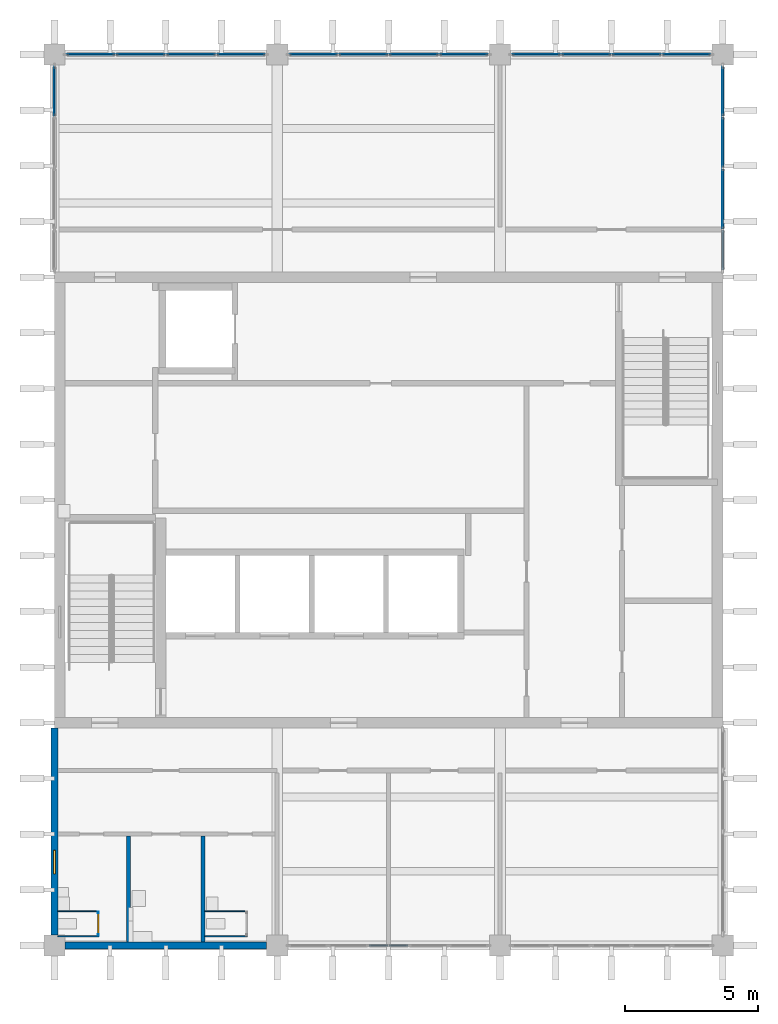
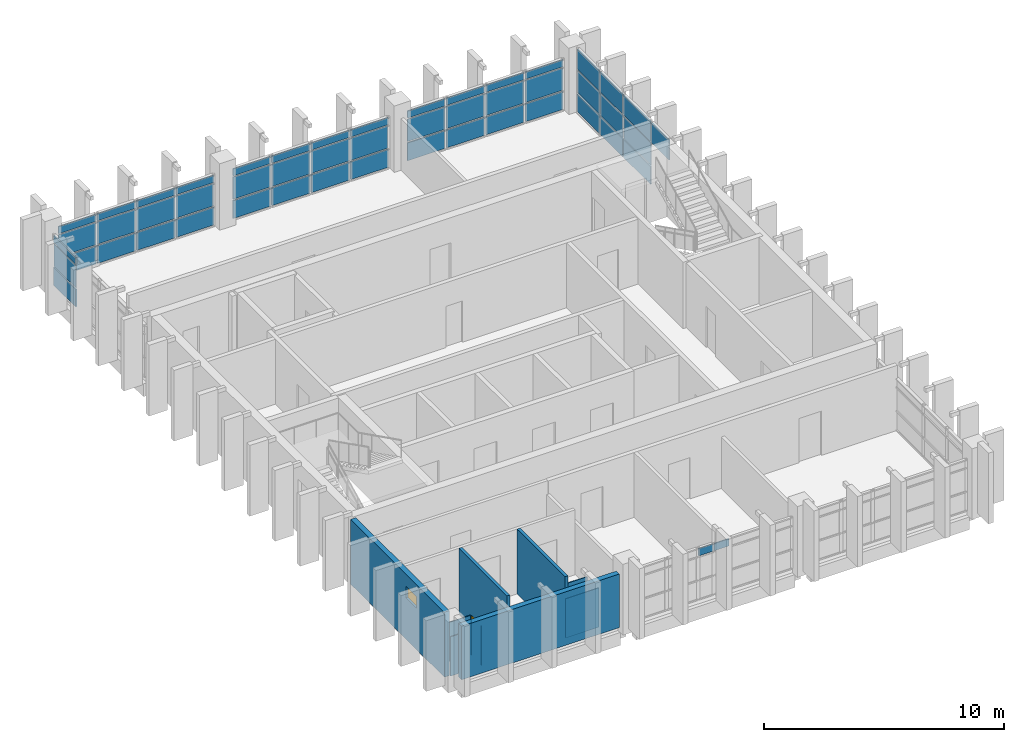
# One storey, part 6 of 11: 51 plates, 9 walls, 1 door, 1 window, 2 openings, 6 elements without a shape of their own.
"""IFC4 building model written with IfcOpenShell, lengths in metres."""

from ifc_helpers import new_model, si_unit, direction, frame, frame_2d, origin, origin_2d, place, context, subcontext, project, spatial, rectangle, extrude, material, layer, layer_set, type_object, element, fill, aggregate, save


model = new_model("IFC4")

# Units and contexts
model_context = context("Model", 3, precision=1e-05, world=origin(), true_north=direction((0.0, 1.0)))
body_context = subcontext(model_context, "Body", "Model", "MODEL_VIEW")
ifc_project = project(units=[si_unit("LENGTHUNIT", "METRE"), si_unit("AREAUNIT", "SQUARE_METRE"), si_unit("VOLUMEUNIT", "CUBIC_METRE"), si_unit("PLANEANGLEUNIT", "RADIAN"), si_unit("MASSUNIT", "GRAM", prefix="KILO")], contexts=[model_context])

# Site, building, storey
site_placement = place(None, origin())
site = spatial("IfcSite", under=ifc_project, at=site_placement, CompositionType="ELEMENT")
building_placement = place(site_placement, origin())
building = spatial("IfcBuilding", under=site, at=building_placement, Name="Rulbaag Community and Learning Centre", CompositionType="ELEMENT")
storey_placement = place(building_placement, frame((0.0, 0.0, 43.199951171875)))
storey = spatial("IfcBuildingStorey", under=building, at=storey_placement, Name="L11", CompositionType="ELEMENT", Elevation=43.199951171875)

# Curtain wall, plates
ifc_material_1 = material(Name="Aluminium", Category="aluminium")
ifc_layer_1 = layer(ifc_material_1, 0.14990234375)
ifc_layer_set_1 = layer_set([ifc_layer_1], Name="CW-S")
curtain_wall_type_1 = type_object("IfcCurtainWallType", Name="CW-S", PredefinedType="USERDEFINED", material=ifc_layer_set_1)
curtain_wall_1_placement = place(storey_placement, origin())
curtain_wall_1 = element("IfcCurtainWall", 1, at=curtain_wall_1_placement, inside=storey, type_object=curtain_wall_type_1, Name="GS-L11-01", ObjectType="UNITISED CURTAIN WALL", PredefinedType="USERDEFINED")
ifc_layer_2 = layer(ifc_material_1, 0.054931640625)
ifc_layer_set_2 = layer_set([ifc_layer_2], Name="CW-S-SPN")
plate_type_1 = type_object("IfcPlateType", Name="CW-S-SPN", PredefinedType="CURTAIN_PANEL", material=ifc_layer_set_2)
plate_1_placement = place(storey_placement, frame((155.02001953125, 84.0, 2.22998046875), z_axis=(0.0, 0.0, 1.0), x_axis=(1.0, 0.0, 0.0)))
plate_1 = element("IfcPlate", 2, at=plate_1_placement, type_object=plate_type_1, Name="GS spandrel panel", PredefinedType="CURTAIN_PANEL", context=body_context, shape_type="SweptSolid", body=[
    extrude(rectangle(XDim=0.699951171875, YDim=0.054931640625, at=origin_2d()), origin(), (0.0, 0.0, 1.0), 0.360107421875),
])
plate_2_placement = place(storey_placement, frame((155.780029296875, 84.0, 2.22998046875), z_axis=(0.0, 0.0, 1.0), x_axis=(1.0, 0.0, 0.0)))
plate_2 = element("IfcPlate", 3, at=plate_2_placement, type_object=plate_type_1, Name="GS spandrel panel", PredefinedType="CURTAIN_PANEL", context=body_context, shape_type="SweptSolid", body=[
    extrude(rectangle(XDim=0.699951171875, YDim=0.054931640625, at=origin_2d()), origin(), (0.0, 0.0, 1.0), 0.360107421875),
])
aggregate(curtain_wall_1, [plate_1, plate_2])

ifc_layer_3 = layer(ifc_material_1, 0.14990234375)
ifc_layer_set_3 = layer_set([ifc_layer_3], Name="CW-T")
curtain_wall_type_2 = type_object("IfcCurtainWallType", Name="CW-T", PredefinedType="USERDEFINED", material=ifc_layer_set_3)
curtain_wall_2_placement = place(storey_placement, origin())
curtain_wall_2 = element("IfcCurtainWall", 4, at=curtain_wall_2_placement, inside=storey, type_object=curtain_wall_type_2, Name="GT-L11-01", ObjectType="UNITISED CURTAIN WALL", PredefinedType="USERDEFINED")
ifc_layer_4 = layer(ifc_material_1, 0.06005859375)
ifc_layer_set_4 = layer_set([ifc_layer_4], Name="CW-T-SPN")
plate_type_2 = type_object("IfcPlateType", Name="CW-T-SPN", PredefinedType="CURTAIN_PANEL", material=ifc_layer_set_4)
plate_3_placement = place(storey_placement, frame((144.166259765625, 117.60009765625, 0.06494140625), z_axis=(0.0, 0.0, 1.0), x_axis=(1.0, 0.0, 0.0)))
plate_3 = element("IfcPlate", 5, at=plate_3_placement, type_object=plate_type_2, Name="GT spandrel panel", PredefinedType="CURTAIN_PANEL", context=body_context, shape_type="SweptSolid", body=[
    extrude(rectangle(XDim=1.802490234375, YDim=0.06005859375, at=origin_2d()), origin(), (0.0, 0.0, 1.0), 0.902587890625),
])
plate_4_placement = place(storey_placement, frame((144.166259765625, 117.60009765625, 2.232421875), z_axis=(0.0, 0.0, 1.0), x_axis=(1.0, 0.0, 0.0)))
plate_4 = element("IfcPlate", 6, at=plate_4_placement, type_object=plate_type_2, Name="GT spandrel panel", PredefinedType="CURTAIN_PANEL", context=body_context, shape_type="SweptSolid", body=[
    extrude(rectangle(XDim=1.802490234375, YDim=0.06005859375, at=origin_2d()), origin(), (0.0, 0.0, 1.0), 0.3525390625),
])
plate_5_placement = place(storey_placement, frame((146.050048828125, 117.60009765625, 0.06494140625), z_axis=(0.0, 0.0, 1.0), x_axis=(1.0, 0.0, 0.0)))
plate_5 = element("IfcPlate", 7, at=plate_5_placement, type_object=plate_type_2, Name="GT spandrel panel", PredefinedType="CURTAIN_PANEL", context=body_context, shape_type="SweptSolid", body=[
    extrude(rectangle(XDim=1.8349609375, YDim=0.06005859375, at=origin_2d()), origin(), (0.0, 0.0, 1.0), 0.902587890625),
])
plate_6_placement = place(storey_placement, frame((146.050048828125, 117.60009765625, 2.232421875), z_axis=(0.0, 0.0, 1.0), x_axis=(1.0, 0.0, 0.0)))
plate_6 = element("IfcPlate", 8, at=plate_6_placement, type_object=plate_type_2, Name="GT spandrel panel", PredefinedType="CURTAIN_PANEL", context=body_context, shape_type="SweptSolid", body=[
    extrude(rectangle(XDim=1.8349609375, YDim=0.06005859375, at=origin_2d()), origin(), (0.0, 0.0, 1.0), 0.3525390625),
])
plate_7_placement = place(storey_placement, frame((147.949951171875, 117.60009765625, 0.06494140625), z_axis=(0.0, 0.0, 1.0), x_axis=(1.0, 0.0, 0.0)))
plate_7 = element("IfcPlate", 9, at=plate_7_placement, type_object=plate_type_2, Name="GT spandrel panel", PredefinedType="CURTAIN_PANEL", context=body_context, shape_type="SweptSolid", body=[
    extrude(rectangle(XDim=1.8349609375, YDim=0.06005859375, at=origin_2d()), origin(), (0.0, 0.0, 1.0), 0.902587890625),
])
plate_8_placement = place(storey_placement, frame((147.949951171875, 117.60009765625, 2.232421875), z_axis=(0.0, 0.0, 1.0), x_axis=(1.0, 0.0, 0.0)))
plate_8 = element("IfcPlate", 10, at=plate_8_placement, type_object=plate_type_2, Name="GT spandrel panel", PredefinedType="CURTAIN_PANEL", context=body_context, shape_type="SweptSolid", body=[
    extrude(rectangle(XDim=1.8349609375, YDim=0.06005859375, at=origin_2d()), origin(), (0.0, 0.0, 1.0), 0.3525390625),
])
plate_9_placement = place(storey_placement, frame((149.833740234375, 117.60009765625, 0.06494140625), z_axis=(0.0, 0.0, 1.0), x_axis=(1.0, 0.0, 0.0)))
plate_9 = element("IfcPlate", 11, at=plate_9_placement, type_object=plate_type_2, Name="GT spandrel panel", PredefinedType="CURTAIN_PANEL", context=body_context, shape_type="SweptSolid", body=[
    extrude(rectangle(XDim=1.802490234375, YDim=0.06005859375, at=origin_2d()), origin(), (0.0, 0.0, 1.0), 0.902587890625),
])
plate_10_placement = place(storey_placement, frame((149.833740234375, 117.60009765625, 2.232421875), z_axis=(0.0, 0.0, 1.0), x_axis=(1.0, 0.0, 0.0)))
plate_10 = element("IfcPlate", 12, at=plate_10_placement, type_object=plate_type_2, Name="GT spandrel panel", PredefinedType="CURTAIN_PANEL", context=body_context, shape_type="SweptSolid", body=[
    extrude(rectangle(XDim=1.802490234375, YDim=0.06005859375, at=origin_2d()), origin(), (0.0, 0.0, 1.0), 0.3525390625),
])

curtain_wall_3_placement = place(storey_placement, origin())
curtain_wall_3 = element("IfcCurtainWall", 13, at=curtain_wall_3_placement, inside=storey, type_object=curtain_wall_type_2, Name="GT-L11-02", ObjectType="UNITISED CURTAIN WALL", PredefinedType="USERDEFINED")
plate_11_placement = place(storey_placement, frame((152.566162109375, 117.60009765625, 0.06494140625), z_axis=(0.0, 0.0, 1.0), x_axis=(1.0, 0.0, 0.0)))
plate_11 = element("IfcPlate", 14, at=plate_11_placement, type_object=plate_type_2, Name="GT spandrel panel", PredefinedType="CURTAIN_PANEL", context=body_context, shape_type="SweptSolid", body=[
    extrude(rectangle(XDim=1.802490234375, YDim=0.06005859375, at=origin_2d()), origin(), (0.0, 0.0, 1.0), 0.902587890625),
])
plate_12_placement = place(storey_placement, frame((152.566162109375, 117.60009765625, 2.232421875), z_axis=(0.0, 0.0, 1.0), x_axis=(1.0, 0.0, 0.0)))
plate_12 = element("IfcPlate", 15, at=plate_12_placement, type_object=plate_type_2, Name="GT spandrel panel", PredefinedType="CURTAIN_PANEL", context=body_context, shape_type="SweptSolid", body=[
    extrude(rectangle(XDim=1.802490234375, YDim=0.06005859375, at=origin_2d()), origin(), (0.0, 0.0, 1.0), 0.3525390625),
])
plate_13_placement = place(storey_placement, frame((154.449951171875, 117.60009765625, 0.06494140625), z_axis=(0.0, 0.0, 1.0), x_axis=(1.0, 0.0, 0.0)))
plate_13 = element("IfcPlate", 16, at=plate_13_placement, type_object=plate_type_2, Name="GT spandrel panel", PredefinedType="CURTAIN_PANEL", context=body_context, shape_type="SweptSolid", body=[
    extrude(rectangle(XDim=1.8349609375, YDim=0.06005859375, at=origin_2d()), origin(), (0.0, 0.0, 1.0), 0.902587890625),
])
plate_14_placement = place(storey_placement, frame((154.449951171875, 117.60009765625, 2.232421875), z_axis=(0.0, 0.0, 1.0), x_axis=(1.0, 0.0, 0.0)))
plate_14 = element("IfcPlate", 17, at=plate_14_placement, type_object=plate_type_2, Name="GT spandrel panel", PredefinedType="CURTAIN_PANEL", context=body_context, shape_type="SweptSolid", body=[
    extrude(rectangle(XDim=1.8349609375, YDim=0.06005859375, at=origin_2d()), origin(), (0.0, 0.0, 1.0), 0.3525390625),
])
plate_15_placement = place(storey_placement, frame((156.35009765625, 117.60009765625, 0.06494140625), z_axis=(0.0, 0.0, 1.0), x_axis=(1.0, 0.0, 0.0)))
plate_15 = element("IfcPlate", 18, at=plate_15_placement, type_object=plate_type_2, Name="GT spandrel panel", PredefinedType="CURTAIN_PANEL", context=body_context, shape_type="SweptSolid", body=[
    extrude(rectangle(XDim=1.8349609375, YDim=0.06005859375, at=origin_2d()), origin(), (0.0, 0.0, 1.0), 0.902587890625),
])
plate_16_placement = place(storey_placement, frame((156.35009765625, 117.60009765625, 2.232421875), z_axis=(0.0, 0.0, 1.0), x_axis=(1.0, 0.0, 0.0)))
plate_16 = element("IfcPlate", 19, at=plate_16_placement, type_object=plate_type_2, Name="GT spandrel panel", PredefinedType="CURTAIN_PANEL", context=body_context, shape_type="SweptSolid", body=[
    extrude(rectangle(XDim=1.8349609375, YDim=0.06005859375, at=origin_2d()), origin(), (0.0, 0.0, 1.0), 0.3525390625),
])
plate_17_placement = place(storey_placement, frame((158.233642578125, 117.60009765625, 0.06494140625), z_axis=(0.0, 0.0, 1.0), x_axis=(1.0, 0.0, 0.0)))
plate_17 = element("IfcPlate", 20, at=plate_17_placement, type_object=plate_type_2, Name="GT spandrel panel", PredefinedType="CURTAIN_PANEL", context=body_context, shape_type="SweptSolid", body=[
    extrude(rectangle(XDim=1.802490234375, YDim=0.06005859375, at=origin_2d()), origin(), (0.0, 0.0, 1.0), 0.902587890625),
])
plate_18_placement = place(storey_placement, frame((158.233642578125, 117.60009765625, 2.232421875), z_axis=(0.0, 0.0, 1.0), x_axis=(1.0, 0.0, 0.0)))
plate_18 = element("IfcPlate", 21, at=plate_18_placement, type_object=plate_type_2, Name="GT spandrel panel", PredefinedType="CURTAIN_PANEL", context=body_context, shape_type="SweptSolid", body=[
    extrude(rectangle(XDim=1.802490234375, YDim=0.06005859375, at=origin_2d()), origin(), (0.0, 0.0, 1.0), 0.3525390625),
])

curtain_wall_4_placement = place(storey_placement, origin())
curtain_wall_4 = element("IfcCurtainWall", 22, at=curtain_wall_4_placement, inside=storey, type_object=curtain_wall_type_2, Name="GT-L11-03", ObjectType="UNITISED CURTAIN WALL", PredefinedType="USERDEFINED")
plate_19_placement = place(storey_placement, frame((160.96630859375, 117.60009765625, 0.06494140625), z_axis=(0.0, 0.0, 1.0), x_axis=(1.0, 0.0, 0.0)))
plate_19 = element("IfcPlate", 23, at=plate_19_placement, type_object=plate_type_2, Name="GT spandrel panel", PredefinedType="CURTAIN_PANEL", context=body_context, shape_type="SweptSolid", body=[
    extrude(rectangle(XDim=1.802490234375, YDim=0.06005859375, at=origin_2d()), origin(), (0.0, 0.0, 1.0), 0.902587890625),
])
plate_20_placement = place(storey_placement, frame((160.96630859375, 117.60009765625, 2.232421875), z_axis=(0.0, 0.0, 1.0), x_axis=(1.0, 0.0, 0.0)))
plate_20 = element("IfcPlate", 24, at=plate_20_placement, type_object=plate_type_2, Name="GT spandrel panel", PredefinedType="CURTAIN_PANEL", context=body_context, shape_type="SweptSolid", body=[
    extrude(rectangle(XDim=1.802490234375, YDim=0.06005859375, at=origin_2d()), origin(), (0.0, 0.0, 1.0), 0.3525390625),
])
plate_21_placement = place(storey_placement, frame((162.85009765625, 117.60009765625, 0.06494140625), z_axis=(0.0, 0.0, 1.0), x_axis=(1.0, 0.0, 0.0)))
plate_21 = element("IfcPlate", 25, at=plate_21_placement, type_object=plate_type_2, Name="GT spandrel panel", PredefinedType="CURTAIN_PANEL", context=body_context, shape_type="SweptSolid", body=[
    extrude(rectangle(XDim=1.8349609375, YDim=0.06005859375, at=origin_2d()), origin(), (0.0, 0.0, 1.0), 0.902587890625),
])
plate_22_placement = place(storey_placement, frame((162.85009765625, 117.60009765625, 2.232421875), z_axis=(0.0, 0.0, 1.0), x_axis=(1.0, 0.0, 0.0)))
plate_22 = element("IfcPlate", 26, at=plate_22_placement, type_object=plate_type_2, Name="GT spandrel panel", PredefinedType="CURTAIN_PANEL", context=body_context, shape_type="SweptSolid", body=[
    extrude(rectangle(XDim=1.8349609375, YDim=0.06005859375, at=origin_2d()), origin(), (0.0, 0.0, 1.0), 0.3525390625),
])
plate_23_placement = place(storey_placement, frame((164.75, 117.60009765625, 0.06494140625), z_axis=(0.0, 0.0, 1.0), x_axis=(1.0, 0.0, 0.0)))
plate_23 = element("IfcPlate", 27, at=plate_23_placement, type_object=plate_type_2, Name="GT spandrel panel", PredefinedType="CURTAIN_PANEL", context=body_context, shape_type="SweptSolid", body=[
    extrude(rectangle(XDim=1.8349609375, YDim=0.06005859375, at=origin_2d()), origin(), (0.0, 0.0, 1.0), 0.902587890625),
])
plate_24_placement = place(storey_placement, frame((164.75, 117.60009765625, 2.232421875), z_axis=(0.0, 0.0, 1.0), x_axis=(1.0, 0.0, 0.0)))
plate_24 = element("IfcPlate", 28, at=plate_24_placement, type_object=plate_type_2, Name="GT spandrel panel", PredefinedType="CURTAIN_PANEL", context=body_context, shape_type="SweptSolid", body=[
    extrude(rectangle(XDim=1.8349609375, YDim=0.06005859375, at=origin_2d()), origin(), (0.0, 0.0, 1.0), 0.3525390625),
])
plate_25_placement = place(storey_placement, frame((166.6337890625, 117.60009765625, 0.06494140625), z_axis=(0.0, 0.0, 1.0), x_axis=(1.0, 0.0, 0.0)))
plate_25 = element("IfcPlate", 29, at=plate_25_placement, type_object=plate_type_2, Name="GT spandrel panel", PredefinedType="CURTAIN_PANEL", context=body_context, shape_type="SweptSolid", body=[
    extrude(rectangle(XDim=1.802490234375, YDim=0.06005859375, at=origin_2d()), origin(), (0.0, 0.0, 1.0), 0.902587890625),
])
plate_26_placement = place(storey_placement, frame((166.6337890625, 117.60009765625, 2.232421875), z_axis=(0.0, 0.0, 1.0), x_axis=(1.0, 0.0, 0.0)))
plate_26 = element("IfcPlate", 30, at=plate_26_placement, type_object=plate_type_2, Name="GT spandrel panel", PredefinedType="CURTAIN_PANEL", context=body_context, shape_type="SweptSolid", body=[
    extrude(rectangle(XDim=1.802490234375, YDim=0.06005859375, at=origin_2d()), origin(), (0.0, 0.0, 1.0), 0.3525390625),
])

curtain_wall_5_placement = place(storey_placement, origin())
curtain_wall_5 = element("IfcCurtainWall", 31, at=curtain_wall_5_placement, inside=storey, type_object=curtain_wall_type_2, Name="GT-L11-04", ObjectType="UNITISED CURTAIN WALL", PredefinedType="USERDEFINED")
plate_27_placement = place(storey_placement, frame((142.800048828125, 116.2119140625, 0.06494140625), z_axis=(0.0, 0.0, 1.0), x_axis=(0.0, 1.0, 0.0)))
plate_27 = element("IfcPlate", 32, at=plate_27_placement, type_object=plate_type_2, Name="GT spandrel panel", PredefinedType="CURTAIN_PANEL", context=body_context, shape_type="SweptSolid", body=[
    extrude(rectangle(XDim=1.84619140625, YDim=0.06005859375, at=origin_2d()), origin(), (0.0, 0.0, 1.0), 0.902587890625),
])
plate_28_placement = place(storey_placement, frame((142.800048828125, 116.2119140625, 2.232421875), z_axis=(0.0, 0.0, 1.0), x_axis=(0.0, 1.0, 0.0)))
plate_28 = element("IfcPlate", 33, at=plate_28_placement, type_object=plate_type_2, Name="GT spandrel panel", PredefinedType="CURTAIN_PANEL", context=body_context, shape_type="SweptSolid", body=[
    extrude(rectangle(XDim=1.84619140625, YDim=0.06005859375, at=origin_2d()), origin(), (0.0, 0.0, 1.0), 0.3525390625),
])

curtain_wall_6_placement = place(storey_placement, origin())
curtain_wall_6 = element("IfcCurtainWall", 34, at=curtain_wall_6_placement, inside=storey, type_object=curtain_wall_type_2, Name="GT-L11-06", ObjectType="UNITISED CURTAIN WALL", PredefinedType="USERDEFINED")
plate_29_placement = place(storey_placement, frame((168.0, 110.228759765625, 2.232666015625), z_axis=(0.0, 0.0, 1.0), x_axis=(0.0, 1.0, 0.0)))
plate_29 = element("IfcPlate", 35, at=plate_29_placement, type_object=plate_type_2, Name="GT spandrel panel", PredefinedType="CURTAIN_PANEL", context=body_context, shape_type="SweptSolid", body=[
    extrude(rectangle(XDim=1.4775390625, YDim=0.06005859375, at=origin_2d()), origin(), (0.0, 0.0, 1.0), 1.00244140625),
])
plate_30_placement = place(storey_placement, frame((168.0, 112.15625, 0.06494140625), z_axis=(0.0, 0.0, 1.0), x_axis=(0.0, 1.0, 0.0)))
plate_30 = element("IfcPlate", 36, at=plate_30_placement, type_object=plate_type_2, Name="GT spandrel panel", PredefinedType="CURTAIN_PANEL", context=body_context, shape_type="SweptSolid", body=[
    extrude(rectangle(XDim=2.24755859375, YDim=0.06005859375, at=origin_2d()), origin(), (0.0, 0.0, 1.0), 0.902587890625),
])
plate_31_placement = place(storey_placement, frame((168.0, 112.15625, 2.232666015625), z_axis=(0.0, 0.0, 1.0), x_axis=(0.0, 1.0, 0.0)))
plate_31 = element("IfcPlate", 37, at=plate_31_placement, type_object=plate_type_2, Name="GT spandrel panel", PredefinedType="CURTAIN_PANEL", context=body_context, shape_type="SweptSolid", body=[
    extrude(rectangle(XDim=2.24755859375, YDim=0.06005859375, at=origin_2d()), origin(), (0.0, 0.0, 1.0), 1.00244140625),
])
plate_32_placement = place(storey_placement, frame((168.0, 114.284423828125, 0.06494140625), z_axis=(0.0, 0.0, 1.0), x_axis=(0.0, 1.0, 0.0)))
plate_32 = element("IfcPlate", 38, at=plate_32_placement, type_object=plate_type_2, Name="GT spandrel panel", PredefinedType="CURTAIN_PANEL", context=body_context, shape_type="SweptSolid", body=[
    extrude(rectangle(XDim=1.878662109375, YDim=0.06005859375, at=origin_2d()), origin(), (0.0, 0.0, 1.0), 0.902587890625),
])
plate_33_placement = place(storey_placement, frame((168.0, 114.284423828125, 2.232666015625), z_axis=(0.0, 0.0, 1.0), x_axis=(0.0, 1.0, 0.0)))
plate_33 = element("IfcPlate", 39, at=plate_33_placement, type_object=plate_type_2, Name="GT spandrel panel", PredefinedType="CURTAIN_PANEL", context=body_context, shape_type="SweptSolid", body=[
    extrude(rectangle(XDim=1.878662109375, YDim=0.06005859375, at=origin_2d()), origin(), (0.0, 0.0, 1.0), 1.00244140625),
])
plate_34_placement = place(storey_placement, frame((168.0, 116.2119140625, 0.06494140625), z_axis=(0.0, 0.0, 1.0), x_axis=(0.0, 1.0, 0.0)))
plate_34 = element("IfcPlate", 40, at=plate_34_placement, type_object=plate_type_2, Name="GT spandrel panel", PredefinedType="CURTAIN_PANEL", context=body_context, shape_type="SweptSolid", body=[
    extrude(rectangle(XDim=1.84619140625, YDim=0.06005859375, at=origin_2d()), origin(), (0.0, 0.0, 1.0), 0.902587890625),
])
plate_35_placement = place(storey_placement, frame((168.0, 116.2119140625, 2.232666015625), z_axis=(0.0, 0.0, 1.0), x_axis=(0.0, 1.0, 0.0)))
plate_35 = element("IfcPlate", 41, at=plate_35_placement, type_object=plate_type_2, Name="GT spandrel panel", PredefinedType="CURTAIN_PANEL", context=body_context, shape_type="SweptSolid", body=[
    extrude(rectangle(XDim=1.84619140625, YDim=0.06005859375, at=origin_2d()), origin(), (0.0, 0.0, 1.0), 1.00244140625),
])

# Plate
ifc_material_2 = material(Name="Glass", Category="glass")
ifc_layer_5 = layer(ifc_material_2, 0.028076171875)
ifc_layer_set_5 = layer_set([ifc_layer_5], Name="CW-T-VIS")
plate_type_3 = type_object("IfcPlateType", Name="CW-T-VIS", PredefinedType="CURTAIN_PANEL", material=ifc_layer_set_5)
plate_36_placement = place(storey_placement, frame((144.166259765625, 117.60009765625, 1.03271484375), z_axis=(0.0, 0.0, 1.0), x_axis=(1.0, 0.0, 0.0)))
plate_36 = element("IfcPlate", 42, at=plate_36_placement, type_object=plate_type_3, Name="GT vision panel", PredefinedType="CURTAIN_PANEL", context=body_context, shape_type="SweptSolid", body=[
    extrude(rectangle(XDim=1.802490234375, YDim=0.028076171875, at=origin_2d()), origin(), (0.0, 0.0, 1.0), 1.135009765625),
])

plate_37_placement = place(storey_placement, frame((146.050048828125, 117.60009765625, 1.03271484375), z_axis=(0.0, 0.0, 1.0), x_axis=(1.0, 0.0, 0.0)))
plate_37 = element("IfcPlate", 43, at=plate_37_placement, type_object=plate_type_3, Name="GT vision panel", PredefinedType="CURTAIN_PANEL", context=body_context, shape_type="SweptSolid", body=[
    extrude(rectangle(XDim=1.8349609375, YDim=0.028076171875, at=origin_2d()), origin(), (0.0, 0.0, 1.0), 1.135009765625),
])

plate_38_placement = place(storey_placement, frame((147.949951171875, 117.60009765625, 1.03271484375), z_axis=(0.0, 0.0, 1.0), x_axis=(1.0, 0.0, 0.0)))
plate_38 = element("IfcPlate", 44, at=plate_38_placement, type_object=plate_type_3, Name="GT vision panel", PredefinedType="CURTAIN_PANEL", context=body_context, shape_type="SweptSolid", body=[
    extrude(rectangle(XDim=1.8349609375, YDim=0.028076171875, at=origin_2d()), origin(), (0.0, 0.0, 1.0), 1.135009765625),
])

plate_39_placement = place(storey_placement, frame((149.833740234375, 117.60009765625, 1.03271484375), z_axis=(0.0, 0.0, 1.0), x_axis=(1.0, 0.0, 0.0)))
plate_39 = element("IfcPlate", 45, at=plate_39_placement, type_object=plate_type_3, Name="GT vision panel", PredefinedType="CURTAIN_PANEL", context=body_context, shape_type="SweptSolid", body=[
    extrude(rectangle(XDim=1.802490234375, YDim=0.028076171875, at=origin_2d()), origin(), (0.0, 0.0, 1.0), 1.135009765625),
])

aggregate(curtain_wall_2, [plate_3, plate_36, plate_4, plate_5, plate_37, plate_6, plate_7, plate_38, plate_8, plate_9, plate_39, plate_10])

plate_40_placement = place(storey_placement, frame((152.566162109375, 117.60009765625, 1.03271484375), z_axis=(0.0, 0.0, 1.0), x_axis=(1.0, 0.0, 0.0)))
plate_40 = element("IfcPlate", 46, at=plate_40_placement, type_object=plate_type_3, Name="GT vision panel", PredefinedType="CURTAIN_PANEL", context=body_context, shape_type="SweptSolid", body=[
    extrude(rectangle(XDim=1.802490234375, YDim=0.028076171875, at=origin_2d()), origin(), (0.0, 0.0, 1.0), 1.135009765625),
])

plate_41_placement = place(storey_placement, frame((154.449951171875, 117.60009765625, 1.03271484375), z_axis=(0.0, 0.0, 1.0), x_axis=(1.0, 0.0, 0.0)))
plate_41 = element("IfcPlate", 47, at=plate_41_placement, type_object=plate_type_3, Name="GT vision panel", PredefinedType="CURTAIN_PANEL", context=body_context, shape_type="SweptSolid", body=[
    extrude(rectangle(XDim=1.8349609375, YDim=0.028076171875, at=origin_2d()), origin(), (0.0, 0.0, 1.0), 1.135009765625),
])

plate_42_placement = place(storey_placement, frame((156.35009765625, 117.60009765625, 1.03271484375), z_axis=(0.0, 0.0, 1.0), x_axis=(1.0, 0.0, 0.0)))
plate_42 = element("IfcPlate", 48, at=plate_42_placement, type_object=plate_type_3, Name="GT vision panel", PredefinedType="CURTAIN_PANEL", context=body_context, shape_type="SweptSolid", body=[
    extrude(rectangle(XDim=1.8349609375, YDim=0.028076171875, at=origin_2d()), origin(), (0.0, 0.0, 1.0), 1.135009765625),
])

plate_43_placement = place(storey_placement, frame((158.233642578125, 117.60009765625, 1.03271484375), z_axis=(0.0, 0.0, 1.0), x_axis=(1.0, 0.0, 0.0)))
plate_43 = element("IfcPlate", 49, at=plate_43_placement, type_object=plate_type_3, Name="GT vision panel", PredefinedType="CURTAIN_PANEL", context=body_context, shape_type="SweptSolid", body=[
    extrude(rectangle(XDim=1.802490234375, YDim=0.028076171875, at=origin_2d()), origin(), (0.0, 0.0, 1.0), 1.135009765625),
])

aggregate(curtain_wall_3, [plate_11, plate_40, plate_12, plate_13, plate_41, plate_14, plate_15, plate_42, plate_16, plate_17, plate_43, plate_18])

plate_44_placement = place(storey_placement, frame((160.96630859375, 117.60009765625, 1.03271484375), z_axis=(0.0, 0.0, 1.0), x_axis=(1.0, 0.0, 0.0)))
plate_44 = element("IfcPlate", 50, at=plate_44_placement, type_object=plate_type_3, Name="GT vision panel", PredefinedType="CURTAIN_PANEL", context=body_context, shape_type="SweptSolid", body=[
    extrude(rectangle(XDim=1.802490234375, YDim=0.028076171875, at=origin_2d()), origin(), (0.0, 0.0, 1.0), 1.135009765625),
])

plate_45_placement = place(storey_placement, frame((162.85009765625, 117.60009765625, 1.03271484375), z_axis=(0.0, 0.0, 1.0), x_axis=(1.0, 0.0, 0.0)))
plate_45 = element("IfcPlate", 51, at=plate_45_placement, type_object=plate_type_3, Name="GT vision panel", PredefinedType="CURTAIN_PANEL", context=body_context, shape_type="SweptSolid", body=[
    extrude(rectangle(XDim=1.8349609375, YDim=0.028076171875, at=origin_2d()), origin(), (0.0, 0.0, 1.0), 1.135009765625),
])

plate_46_placement = place(storey_placement, frame((164.75, 117.60009765625, 1.03271484375), z_axis=(0.0, 0.0, 1.0), x_axis=(1.0, 0.0, 0.0)))
plate_46 = element("IfcPlate", 52, at=plate_46_placement, type_object=plate_type_3, Name="GT vision panel", PredefinedType="CURTAIN_PANEL", context=body_context, shape_type="SweptSolid", body=[
    extrude(rectangle(XDim=1.8349609375, YDim=0.028076171875, at=origin_2d()), origin(), (0.0, 0.0, 1.0), 1.135009765625),
])

plate_47_placement = place(storey_placement, frame((166.6337890625, 117.60009765625, 1.03271484375), z_axis=(0.0, 0.0, 1.0), x_axis=(1.0, 0.0, 0.0)))
plate_47 = element("IfcPlate", 53, at=plate_47_placement, type_object=plate_type_3, Name="GT vision panel", PredefinedType="CURTAIN_PANEL", context=body_context, shape_type="SweptSolid", body=[
    extrude(rectangle(XDim=1.802490234375, YDim=0.028076171875, at=origin_2d()), origin(), (0.0, 0.0, 1.0), 1.135009765625),
])

aggregate(curtain_wall_4, [plate_19, plate_44, plate_20, plate_21, plate_45, plate_22, plate_23, plate_46, plate_24, plate_25, plate_47, plate_26])

plate_48_placement = place(storey_placement, frame((142.800048828125, 116.2119140625, 1.03271484375), z_axis=(0.0, 0.0, 1.0), x_axis=(0.0, 1.0, 0.0)))
plate_48 = element("IfcPlate", 54, at=plate_48_placement, type_object=plate_type_3, Name="GT vision panel", PredefinedType="CURTAIN_PANEL", context=body_context, shape_type="SweptSolid", body=[
    extrude(rectangle(XDim=1.84619140625, YDim=0.028076171875, at=origin_2d()), origin(), (0.0, 0.0, 1.0), 1.135009765625),
])

aggregate(curtain_wall_5, [plate_27, plate_48, plate_28])

plate_49_placement = place(storey_placement, frame((168.0, 112.15625, 1.03271484375), z_axis=(0.0, 0.0, 1.0), x_axis=(0.0, 1.0, 0.0)))
plate_49 = element("IfcPlate", 55, at=plate_49_placement, type_object=plate_type_3, Name="GT vision panel", PredefinedType="CURTAIN_PANEL", context=body_context, shape_type="SweptSolid", body=[
    extrude(rectangle(XDim=2.24755859375, YDim=0.028076171875, at=origin_2d()), origin(), (0.0, 0.0, 1.0), 1.135009765625),
])

plate_50_placement = place(storey_placement, frame((168.0, 114.284423828125, 1.03271484375), z_axis=(0.0, 0.0, 1.0), x_axis=(0.0, 1.0, 0.0)))
plate_50 = element("IfcPlate", 56, at=plate_50_placement, type_object=plate_type_3, Name="GT vision panel", PredefinedType="CURTAIN_PANEL", context=body_context, shape_type="SweptSolid", body=[
    extrude(rectangle(XDim=1.878662109375, YDim=0.028076171875, at=origin_2d()), origin(), (0.0, 0.0, 1.0), 1.135009765625),
])

plate_51_placement = place(storey_placement, frame((168.0, 116.2119140625, 1.03271484375), z_axis=(0.0, 0.0, 1.0), x_axis=(0.0, 1.0, 0.0)))
plate_51 = element("IfcPlate", 57, at=plate_51_placement, type_object=plate_type_3, Name="GT vision panel", PredefinedType="CURTAIN_PANEL", context=body_context, shape_type="SweptSolid", body=[
    extrude(rectangle(XDim=1.84619140625, YDim=0.028076171875, at=origin_2d()), origin(), (0.0, 0.0, 1.0), 1.135009765625),
])

aggregate(curtain_wall_6, [plate_29, plate_30, plate_49, plate_31, plate_32, plate_50, plate_33, plate_34, plate_51, plate_35])

# Walls
ifc_material_3 = material(Name="High pressure laminate", Category="wood")
ifc_layer_6 = layer(ifc_material_3, 0.0400390625)
ifc_layer_set_6 = layer_set([ifc_layer_6], Name="CP-40")
wall_type_1 = type_object("IfcWallType", Name="CP-40", PredefinedType="PARTITIONING", material=ifc_layer_set_6)
wall_1_placement = place(storey_placement, frame((142.929931640625, 84.35009765625, 0.0), z_axis=(0.0, 0.0, 1.0), x_axis=(1.0, 0.0, 0.0)))
element("IfcWall", 58, at=wall_1_placement, inside=storey, type_object=wall_type_1, Name="Cubicle partition", PredefinedType="PARTITIONING", context=body_context, shape_type="SweptSolid", body=[
    extrude(rectangle(XDim=1.5400390625, YDim=0.0400390625, at=frame_2d((0.77001953125, 0.0))), origin(), (0.0, 0.0, 1.0), 2.0),
])
wall_2_placement = place(storey_placement, frame((142.925048828125, 85.2900390625, 0.0), z_axis=(0.0, 0.0, 1.0), x_axis=(1.0, 0.0, 0.0)))
element("IfcWall", 59, at=wall_2_placement, inside=storey, type_object=wall_type_1, Name="Cubicle partition", PredefinedType="PARTITIONING", context=body_context, shape_type="SweptSolid", body=[
    extrude(rectangle(XDim=1.544921875, YDim=0.0400390625, at=frame_2d((0.7724609375, 0.0))), origin(), (0.0, 0.0, 1.0), 2.0),
])

# Wall, opening, door
wall_3_placement = place(storey_placement, frame((144.449951171875, 84.3701171875, 0.0), z_axis=(0.0, 0.0, 1.0), x_axis=(0.0, 1.0, 0.0)))
wall_3 = element("IfcWall", 60, at=wall_3_placement, inside=storey, type_object=wall_type_1, Name="Cubicle partition", PredefinedType="PARTITIONING", context=body_context, shape_type="SweptSolid", body=[
    extrude(rectangle(XDim=0.89990234375, YDim=0.0400390625, at=frame_2d((0.449951171875, 0.0))), origin(), (0.0, 0.0, 1.0), 2.0),
])
opening_1_placement = place(wall_3_placement, frame((0.050048828125, 0.0, 0.0)))
opening_1 = element("IfcOpeningElement", 61, at=opening_1_placement, cuts=wall_3, Name="Opening L11-D002", PredefinedType="OPENING", context=body_context, shape_type="SweptSolid", body=[
    extrude(rectangle(XDim=0.800048828125, YDim=2.0, at=frame_2d((0.39990234375, 1.0))), frame((0.0, 0.030029296875, 0.0), z_axis=(0.0, -1.0, 0.0), x_axis=(1.0, 0.0, 0.0)), (0.0, 0.0, 1.0), 0.06005859375),
])
door_type = type_object("IfcDoorType", Name="DC-80", OperationType="SINGLE_SWING_LEFT", PredefinedType="DOOR", material=ifc_material_3)
door_placement = place(opening_1_placement, origin())
door = element("IfcDoor", 62, at=door_placement, inside=storey, type_object=door_type, Name="Cubicle door", OperationType="SINGLE_SWING_LEFT", OverallHeight=2.0, OverallWidth=0.800048828125, PredefinedType="DOOR", context=body_context, shape_type="SweptSolid", body=[
    extrude(rectangle(XDim=0.800048828125, YDim=2.0, at=frame_2d((0.39990234375, 1.0))), frame((0.0, 0.019775390625, 0.0), z_axis=(0.0, -1.0, 0.0), x_axis=(1.0, 0.0, 0.0)), (0.0, 0.0, 1.0), 0.03955078125),
])
fill(opening_1, door)

# Walls
for number, where, z_axis, x_axis, name in (
    (63, (148.47509765625, 84.35009765625, 0.0), (0.0, 0.0, 1.0), (1.0, 0.0, 0.0), "Cubicle partition"),
    (64, (148.47509765625, 85.2900390625, 0.0), (0.0, 0.0, 1.0), (1.0, 0.0, 0.0), "Cubicle partition"),
):
    element("IfcWall", number, at=place(storey_placement, frame(where, z_axis=z_axis, x_axis=x_axis)), inside=storey, type_object=wall_type_1, Name=name, PredefinedType="PARTITIONING", context=body_context, shape_type="SweptSolid", body=[
        extrude(rectangle(XDim=1.594970703125, YDim=0.0400390625, at=frame_2d((0.79736328125, 0.0))), origin(), (0.0, 0.0, 1.0), 2.0),
    ])
ifc_material_4 = material(Name="Concrete M40", Category="concrete")
ifc_layer_7 = layer(ifc_material_4, 0.25)
ifc_layer_set_7 = layer_set([ifc_layer_7], Name="EW-CONC250")
wall_type_2 = type_object("IfcWallType", Name="EW-CONC250", PredefinedType="STANDARD", material=ifc_layer_set_7)
wall_4_placement = place(storey_placement, frame((143.199951171875, 84.0, 0.0), z_axis=(0.0, 0.0, 1.0), x_axis=(1.0, 0.0, 0.0)))
element("IfcWall", 65, at=wall_4_placement, inside=storey, type_object=wall_type_2, Name="Board-marked concrete cladding wall BS", PredefinedType="STANDARD", context=body_context, shape_type="SweptSolid", body=[
    extrude(rectangle(XDim=7.60009765625, YDim=0.25, at=frame_2d((3.800048828125, 0.0))), origin(), (0.0, 0.0, 1.0), 2.72509765625),
])

# Wall, opening, window
wall_5_placement = place(storey_placement, frame((142.800048828125, 84.39990234375, 0.0), z_axis=(0.0, 0.0, 1.0), x_axis=(0.0, 1.0, 0.0)))
wall_5 = element("IfcWall", 66, at=wall_5_placement, inside=storey, type_object=wall_type_2, Name="Board-marked concrete cladding wall BW", PredefinedType="STANDARD", context=body_context, shape_type="SweptSolid", body=[
    extrude(rectangle(XDim=7.800048828125, YDim=0.25, at=frame_2d((3.89990234375, 0.0))), origin(), (0.0, 0.0, 1.0), 3.300048828125),
])
opening_2_placement = place(wall_5_placement, frame((2.300048828125, 0.0, 2.10009765625)))
opening_2 = element("IfcOpeningElement", 67, at=opening_2_placement, cuts=wall_5, Name="Opening WN5", PredefinedType="OPENING", context=body_context, shape_type="SweptSolid", body=[
    extrude(rectangle(XDim=0.89990234375, YDim=0.60009765625, at=frame_2d((0.449951171875, 0.300048828125))), frame((0.0, 0.135009765625, 0.0), z_axis=(0.0, -1.0, 0.0), x_axis=(1.0, 0.0, 0.0)), (0.0, 0.0, 1.0), 0.27001953125),
])
window_type = type_object("IfcWindowType", Name="WK-09", PartitioningType="SINGLE_PANEL", PredefinedType="WINDOW", material=ifc_material_1)
window_placement = place(opening_2_placement, origin())
window = element("IfcWindow", 68, at=window_placement, inside=storey, type_object=window_type, Name="Window WN5", OverallHeight=0.60009765625, OverallWidth=0.89990234375, PartitioningType="SINGLE_PANEL", PredefinedType="WINDOW", context=body_context, shape_type="SweptSolid", body=[
    extrude(rectangle(XDim=0.89990234375, YDim=0.60009765625, at=frame_2d((0.449951171875, 0.300048828125))), frame((0.0, 0.030029296875, 0.0), z_axis=(0.0, -1.0, 0.0), x_axis=(1.0, 0.0, 0.0)), (0.0, 0.0, 1.0), 0.06005859375),
])
fill(opening_2, window)

# Walls
ifc_material_5 = material(Name="Concrete blockwork", Category="masonry")
ifc_layer_8 = layer(ifc_material_5, 0.14990234375)
ifc_layer_set_8 = layer_set([ifc_layer_8], Name="IP-150 PARTITION 150")
wall_type_3 = type_object("IfcWallType", Name="IP-150 PARTITION 150", PredefinedType="PARTITIONING", material=ifc_layer_set_8)
for number, where, z_axis, x_axis, name in (
    (69, (145.60009765625, 84.125, 0.0), (0.0, 0.0, 1.0), (0.0, 1.0, 0.0), "Partition L11 11"),
    (70, (148.39990234375, 84.125, 0.0), (0.0, 0.0, 1.0), (0.0, 1.0, 0.0), "Partition L11 14"),
):
    element("IfcWall", number, at=place(storey_placement, frame(where, z_axis=z_axis, x_axis=x_axis)), inside=storey, type_object=wall_type_3, Name=name, PredefinedType="PARTITIONING", context=body_context, shape_type="SweptSolid", body=[
        extrude(rectangle(XDim=4.0, YDim=0.14990234375, at=frame_2d((2.0, 0.0))), origin(), (0.0, 0.0, 1.0), 3.300048828125),
    ])

save(model, "model.ifc")
